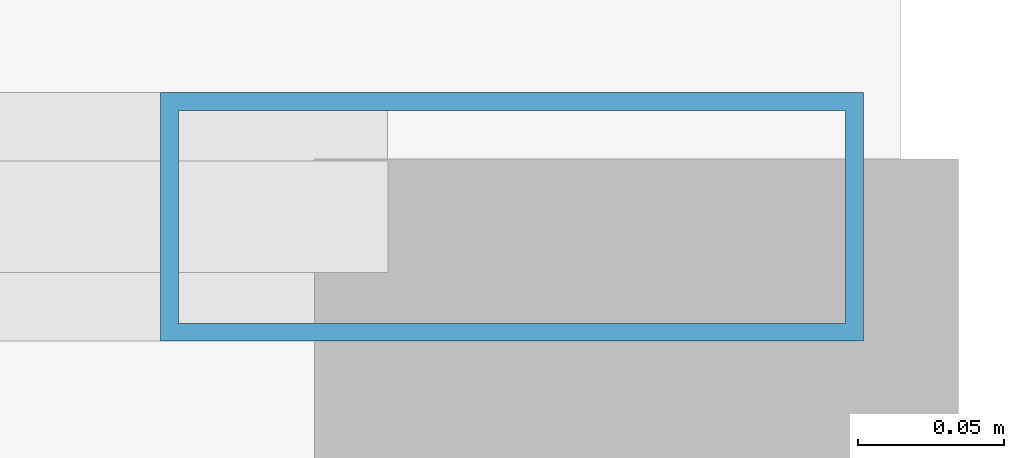
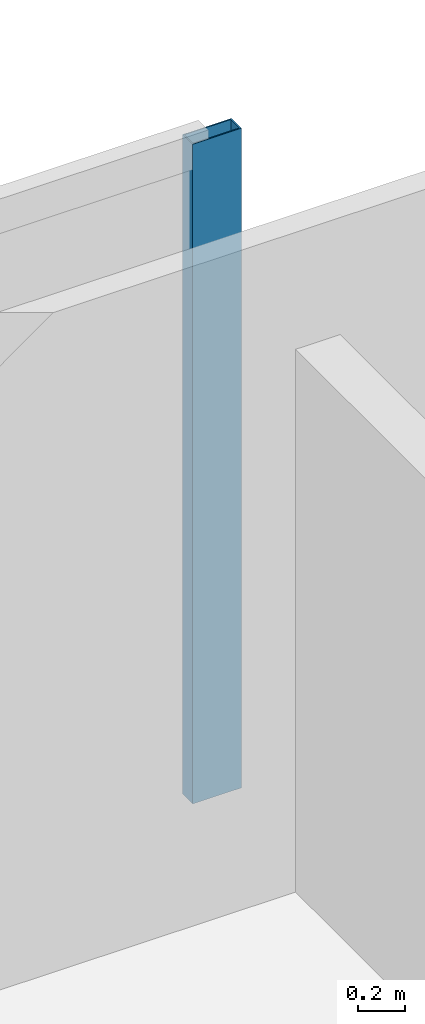
# One storey, part 24 of 32: 1 member, 1 element without a shape of its own.
"""IFC4 building model written with IfcOpenShell, lengths in metres."""

from ifc_helpers import new_model, si_unit, direction, frame, origin, origin_2d, place, context, subcontext, project, spatial, hollow_rectangle, extrude, material, material_profile, profile_set, type_object, element, aggregate, save


model = new_model("IFC4")

# Units and contexts
model_context = context("Model", 3, precision=1e-05, world=origin(), true_north=direction((0.0, 1.0)))
body_context = subcontext(model_context, "Body", "Model", "MODEL_VIEW")
ifc_project = project(units=[si_unit("LENGTHUNIT", "METRE"), si_unit("AREAUNIT", "SQUARE_METRE"), si_unit("VOLUMEUNIT", "CUBIC_METRE"), si_unit("PLANEANGLEUNIT", "RADIAN"), si_unit("MASSUNIT", "GRAM", prefix="KILO")], contexts=[model_context])

# Site, building, storey
site_placement = place(None, origin())
site = spatial("IfcSite", under=ifc_project, at=site_placement, CompositionType="ELEMENT")
building_placement = place(site_placement, origin())
building = spatial("IfcBuilding", under=site, at=building_placement, Name="Khoronbel Lancet Exchange", CompositionType="ELEMENT")
storey_placement = place(building_placement, frame((0.0, 0.0, 111.0)))
storey = spatial("IfcBuildingStorey", under=building, at=storey_placement, Name="L26", CompositionType="ELEMENT", Elevation=111.0)

# Curtain wall, member
ifc_material_1 = material(Name="Low-E Solar Control Insulating Glass", Category="glass")
curtain_wall_type = type_object("IfcCurtainWallType", Name="CW-2", PredefinedType="NOTDEFINED", material=ifc_material_1)
curtain_wall_placement = place(storey_placement, origin())
curtain_wall = element("IfcCurtainWall", 1, at=curtain_wall_placement, inside=storey, type_object=curtain_wall_type, Name="Unitised curtain wall CW-L26-NEFLK", PredefinedType="NOTDEFINED")
ifc_material_2 = material(Name="Bronze-Anodised Aluminium 6063-T6", Category="aluminium")
ifc_material_profile = material_profile(ifc_material_2, hollow_rectangle(XDim=0.0849609375, YDim=0.239990234375, WallThickness=0.006103515625, at=origin_2d()), Name="ALU MULLION 85x240")
ifc_profile_set = profile_set([ifc_material_profile], Name="Bronze-Anodised Aluminium 6063-T6")
member_type = type_object("IfcMemberType", Name="MEM-CWM1", PredefinedType="MULLION", material=ifc_profile_set)
member_placement = place(storey_placement, frame((65.91748046875, 53.610107421875, 0.0), z_axis=(0.0, 0.0, 1.0), x_axis=(0.0, -1.0, 0.0)))
member = element("IfcMember", 2, at=member_placement, type_object=member_type, Name="CW2 mullion 1", PredefinedType="MULLION", context=body_context, shape_type="SweptSolid", body=[
    extrude(hollow_rectangle(XDim=0.0849609375, YDim=0.239990234375, WallThickness=0.006103515625, at=origin_2d()), origin(), (0.0, 0.0, 1.0), 3.43994140625),
])
aggregate(curtain_wall, [member])

save(model, "model.ifc")
